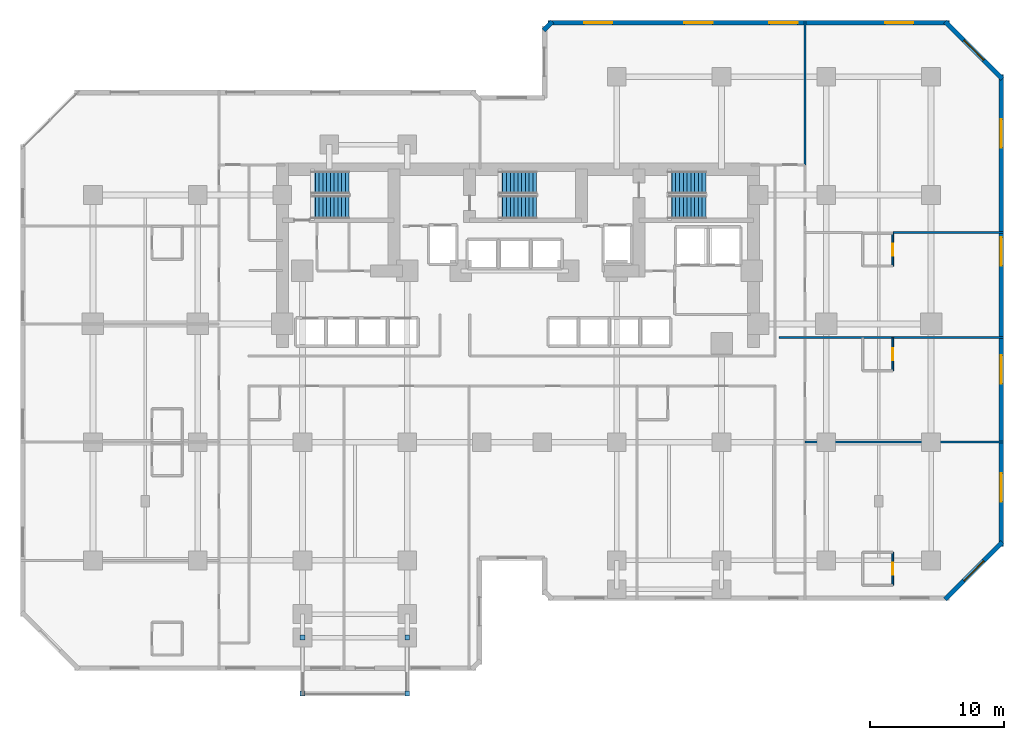
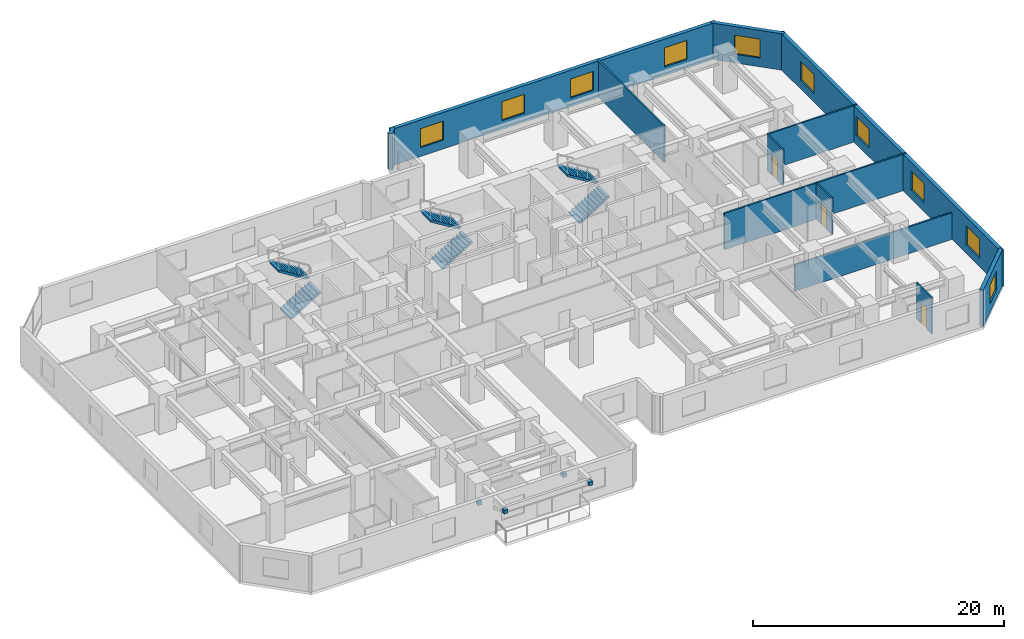
# One storey, part 9 of 11: 12 walls, 10 windows, 6 stair flights, 4 discrete accessories, 3 doors, 13 openings, 3 elements without a shape of their own.
"""IFC4 building model written with IfcOpenShell, lengths in metres."""

from ifc_helpers import new_model, si_unit, direction, frame, frame_2d, origin, origin_2d, place, context, subcontext, project, spatial, polyline, rectangle, outline, extrude, material, layer, layer_set, type_object, element, fill, aggregate, save


model = new_model("IFC4")

# Units and contexts
model_context = context("Model", 3, precision=1e-05, world=origin(), true_north=direction((0.0, 1.0)))
body_context = subcontext(model_context, "Body", "Model", "MODEL_VIEW")
ifc_project = project(units=[si_unit("LENGTHUNIT", "METRE"), si_unit("AREAUNIT", "SQUARE_METRE"), si_unit("VOLUMEUNIT", "CUBIC_METRE"), si_unit("PLANEANGLEUNIT", "RADIAN"), si_unit("MASSUNIT", "GRAM", prefix="KILO")], contexts=[model_context])

# Site, building, storey
site_placement = place(None, origin())
site = spatial("IfcSite", under=ifc_project, at=site_placement, CompositionType="ELEMENT")
building_placement = place(site_placement, origin())
building = spatial("IfcBuilding", under=site, at=building_placement, Name="Kestravale Grand Hotel", CompositionType="ELEMENT")
storey_placement = place(building_placement, frame((0.0, 0.0, 37.39990234375)))
storey = spatial("IfcBuildingStorey", under=building, at=storey_placement, Name="L08", CompositionType="ELEMENT", Elevation=37.39990234375)

# Wall, opening, window
ifc_material_1 = material(Name="Precast concrete f'c 45 MPa", Category="concrete")
ifc_layer_1 = layer(ifc_material_1, 0.340087890625)
ifc_layer_set_1 = layer_set([ifc_layer_1], Name="EW-PREC-340")
wall_type_1 = type_object("IfcWallType", Name="EW-PREC-340", PredefinedType="SOLIDWALL", material=ifc_layer_set_1)
wall_1_placement = place(storey_placement, frame((71.25146484375, 8.2919921875, 0.0), z_axis=(0.0, 0.0, 1.0), x_axis=(0.707106781187, 0.707106781187, 0.0)))
wall_1 = element("IfcWall", 1, at=wall_1_placement, inside=storey, type_object=wall_type_1, Name="L08 fluted precast facade wall 8", PredefinedType="SOLIDWALL", context=body_context, shape_type="SweptSolid", body=[
    extrude(rectangle(XDim=6.019775390625, YDim=0.340087890625, at=frame_2d((3.009765625, 0.0))), origin(), (0.0, 0.0, 1.0), 3.5400390625),
])
opening_1_placement = place(wall_1_placement, frame((1.9599609375, 0.0, 0.85009765625)))
opening_1 = element("IfcOpeningElement", 2, at=opening_1_placement, cuts=wall_1, Name="Opening W-GUEST-2100", PredefinedType="OPENING", context=body_context, shape_type="SweptSolid", body=[
    extrude(rectangle(XDim=2.10009765625, YDim=1.85009765625, at=frame_2d((1.050048828125, 0.925048828125))), frame((0.0, 0.179931640625, 0.0), z_axis=(0.0, -1.0, 0.0), x_axis=(1.0, 0.0, 0.0)), (0.0, 0.0, 1.0), 0.360107421875),
])
ifc_material_2 = material(Name="Insulated low-E double glazing in aluminium frame", Category="aluminium")
window_type = type_object("IfcWindowType", Name="W-GUEST-2100", PartitioningType="DOUBLE_PANEL_VERTICAL", PredefinedType="WINDOW", material=ifc_material_2)
window_1_placement = place(opening_1_placement, origin())
window_1 = element("IfcWindow", 3, at=window_1_placement, inside=storey, type_object=window_type, Name="L08 exterior window 8.1", OverallHeight=1.85009765625, OverallWidth=2.10009765625, PartitioningType="SINGLE_PANEL", PredefinedType="WINDOW", context=body_context, shape_type="SweptSolid", body=[
    extrude(rectangle(XDim=2.10009765625, YDim=1.85009765625, at=frame_2d((1.050048828125, 0.925048828125))), frame((0.0, 0.030029296875, 0.0), z_axis=(0.0, -1.0, 0.0), x_axis=(1.0, 0.0, 0.0)), (0.0, 0.0, 1.0), 0.06005859375),
])
fill(opening_1, window_1)

# Wall, openings, windows
wall_2_placement = place(storey_placement, frame((75.429931640625, 12.22998046875, 0.0), z_axis=(0.0, 0.0, 1.0), x_axis=(0.0, 1.0, 0.0)))
wall_2 = element("IfcWall", 4, at=wall_2_placement, inside=storey, type_object=wall_type_1, Name="L08 fluted precast facade wall 9", PredefinedType="SOLIDWALL", context=body_context, shape_type="SweptSolid", body=[
    extrude(rectangle(XDim=35.14013671875, YDim=0.340087890625, at=frame_2d((17.570068359375, 0.0))), origin(), (0.0, 0.0, 1.0), 3.5400390625),
])
opening_2_placement = place(wall_2_placement, frame((3.342529296875, 0.0, 0.85009765625)))
opening_2 = element("IfcOpeningElement", 5, at=opening_2_placement, cuts=wall_2, Name="Opening W-GUEST-2100", PredefinedType="OPENING", context=body_context, shape_type="SweptSolid", body=[
    extrude(rectangle(XDim=2.10009765625, YDim=1.85009765625, at=frame_2d((1.050048828125, 0.925048828125))), frame((0.0, 0.179931640625, 0.0), z_axis=(0.0, -1.0, 0.0), x_axis=(1.0, 0.0, 0.0)), (0.0, 0.0, 1.0), 0.360107421875),
])
opening_3_placement = place(wall_2_placement, frame((12.12744140625, 0.0, 0.85009765625)))
opening_3 = element("IfcOpeningElement", 6, at=opening_3_placement, cuts=wall_2, Name="Opening W-GUEST-2100", PredefinedType="OPENING", context=body_context, shape_type="SweptSolid", body=[
    extrude(rectangle(XDim=2.10009765625, YDim=1.85009765625, at=frame_2d((1.050048828125, 0.925048828125))), frame((0.0, 0.179931640625, 0.0), z_axis=(0.0, -1.0, 0.0), x_axis=(1.0, 0.0, 0.0)), (0.0, 0.0, 1.0), 0.360107421875),
])
opening_4_placement = place(wall_2_placement, frame((20.91259765625, 0.0, 0.85009765625)))
opening_4 = element("IfcOpeningElement", 7, at=opening_4_placement, cuts=wall_2, Name="Opening W-GUEST-2100", PredefinedType="OPENING", context=body_context, shape_type="SweptSolid", body=[
    extrude(rectangle(XDim=2.10009765625, YDim=1.85009765625, at=frame_2d((1.050048828125, 0.925048828125))), frame((0.0, 0.179931640625, 0.0), z_axis=(0.0, -1.0, 0.0), x_axis=(1.0, 0.0, 0.0)), (0.0, 0.0, 1.0), 0.360107421875),
])
opening_5_placement = place(wall_2_placement, frame((29.697509765625, 0.0, 0.85009765625)))
opening_5 = element("IfcOpeningElement", 8, at=opening_5_placement, cuts=wall_2, Name="Opening W-GUEST-2100", PredefinedType="OPENING", context=body_context, shape_type="SweptSolid", body=[
    extrude(rectangle(XDim=2.10009765625, YDim=1.85009765625, at=frame_2d((1.050048828125, 0.925048828125))), frame((0.0, 0.179931640625, 0.0), z_axis=(0.0, -1.0, 0.0), x_axis=(1.0, 0.0, 0.0)), (0.0, 0.0, 1.0), 0.360107421875),
])
window_2_placement = place(opening_2_placement, origin())
window_2 = element("IfcWindow", 9, at=window_2_placement, inside=storey, type_object=window_type, Name="L08 exterior window 9.1", OverallHeight=1.85009765625, OverallWidth=2.10009765625, PartitioningType="SINGLE_PANEL", PredefinedType="WINDOW", context=body_context, shape_type="SweptSolid", body=[
    extrude(rectangle(XDim=2.10009765625, YDim=1.85009765625, at=frame_2d((1.050048828125, 0.925048828125))), frame((0.0, 0.030029296875, 0.0), z_axis=(0.0, -1.0, 0.0), x_axis=(1.0, 0.0, 0.0)), (0.0, 0.0, 1.0), 0.06005859375),
])
fill(opening_2, window_2)
window_3_placement = place(opening_3_placement, origin())
window_3 = element("IfcWindow", 10, at=window_3_placement, inside=storey, type_object=window_type, Name="L08 exterior window 9.2", OverallHeight=1.85009765625, OverallWidth=2.10009765625, PartitioningType="SINGLE_PANEL", PredefinedType="WINDOW", context=body_context, shape_type="SweptSolid", body=[
    extrude(rectangle(XDim=2.10009765625, YDim=1.85009765625, at=frame_2d((1.050048828125, 0.925048828125))), frame((0.0, 0.030029296875, 0.0), z_axis=(0.0, -1.0, 0.0), x_axis=(1.0, 0.0, 0.0)), (0.0, 0.0, 1.0), 0.06005859375),
])
fill(opening_3, window_3)
window_4_placement = place(opening_4_placement, origin())
window_4 = element("IfcWindow", 11, at=window_4_placement, inside=storey, type_object=window_type, Name="L08 exterior window 9.3", OverallHeight=1.85009765625, OverallWidth=2.10009765625, PartitioningType="SINGLE_PANEL", PredefinedType="WINDOW", context=body_context, shape_type="SweptSolid", body=[
    extrude(rectangle(XDim=2.10009765625, YDim=1.85009765625, at=frame_2d((1.050048828125, 0.925048828125))), frame((0.0, 0.030029296875, 0.0), z_axis=(0.0, -1.0, 0.0), x_axis=(1.0, 0.0, 0.0)), (0.0, 0.0, 1.0), 0.06005859375),
])
fill(opening_4, window_4)
window_5_placement = place(opening_5_placement, origin())
window_5 = element("IfcWindow", 12, at=window_5_placement, inside=storey, type_object=window_type, Name="L08 exterior window 9.4", OverallHeight=1.85009765625, OverallWidth=2.10009765625, PartitioningType="SINGLE_PANEL", PredefinedType="WINDOW", context=body_context, shape_type="SweptSolid", body=[
    extrude(rectangle(XDim=2.10009765625, YDim=1.85009765625, at=frame_2d((1.050048828125, 0.925048828125))), frame((0.0, 0.030029296875, 0.0), z_axis=(0.0, -1.0, 0.0), x_axis=(1.0, 0.0, 0.0)), (0.0, 0.0, 1.0), 0.06005859375),
])
fill(opening_5, window_5)

# Wall, opening, window
wall_3_placement = place(storey_placement, frame((75.508056640625, 47.051513671875, 0.0), z_axis=(0.0, 0.0, 1.0), x_axis=(-0.707106781187, 0.707106781187, 0.0)))
wall_3 = element("IfcWall", 13, at=wall_3_placement, inside=storey, type_object=wall_type_1, Name="L08 fluted precast facade wall 10", PredefinedType="SOLIDWALL", context=body_context, shape_type="SweptSolid", body=[
    extrude(rectangle(XDim=6.019775390625, YDim=0.340087890625, at=frame_2d((3.009765625, 0.0))), origin(), (0.0, 0.0, 1.0), 3.5400390625),
])
opening_6_placement = place(wall_3_placement, frame((1.9599609375, 0.0, 0.85009765625)))
opening_6 = element("IfcOpeningElement", 14, at=opening_6_placement, cuts=wall_3, Name="Opening W-GUEST-2100", PredefinedType="OPENING", context=body_context, shape_type="SweptSolid", body=[
    extrude(rectangle(XDim=2.10009765625, YDim=1.85009765625, at=frame_2d((1.050048828125, 0.925048828125))), frame((0.0, 0.179931640625, 0.0), z_axis=(0.0, -1.0, 0.0), x_axis=(1.0, 0.0, 0.0)), (0.0, 0.0, 1.0), 0.360107421875),
])
window_6_placement = place(opening_6_placement, origin())
window_6 = element("IfcWindow", 15, at=window_6_placement, inside=storey, type_object=window_type, Name="L08 exterior window 10.1", OverallHeight=1.85009765625, OverallWidth=2.10009765625, PartitioningType="SINGLE_PANEL", PredefinedType="WINDOW", context=body_context, shape_type="SweptSolid", body=[
    extrude(rectangle(XDim=2.10009765625, YDim=1.85009765625, at=frame_2d((1.050048828125, 0.925048828125))), frame((0.0, 0.030029296875, 0.0), z_axis=(0.0, -1.0, 0.0), x_axis=(1.0, 0.0, 0.0)), (0.0, 0.0, 1.0), 0.06005859375),
])
fill(opening_6, window_6)

# Wall, openings, windows
wall_4_placement = place(storey_placement, frame((71.570068359375, 51.22998046875, 0.0), z_axis=(0.0, 0.0, 1.0), x_axis=(-1.0, 0.0, 0.0)))
wall_4 = element("IfcWall", 16, at=wall_4_placement, inside=storey, type_object=wall_type_1, Name="L08 fluted precast facade wall 11", PredefinedType="SOLIDWALL", context=body_context, shape_type="SweptSolid", body=[
    extrude(rectangle(XDim=29.89013671875, YDim=0.340087890625, at=frame_2d((14.945068359375, 0.0))), origin(), (0.0, 0.0, 1.0), 3.5400390625),
])
opening_7_placement = place(wall_4_placement, frame((2.686279296875, 0.0, 0.85009765625)))
opening_7 = element("IfcOpeningElement", 17, at=opening_7_placement, cuts=wall_4, Name="Opening W-GUEST-2100", PredefinedType="OPENING", context=body_context, shape_type="SweptSolid", body=[
    extrude(rectangle(XDim=2.10009765625, YDim=1.85009765625, at=frame_2d((1.050048828125, 0.925048828125))), frame((0.0, 0.179931640625, 0.0), z_axis=(0.0, -1.0, 0.0), x_axis=(1.0, 0.0, 0.0)), (0.0, 0.0, 1.0), 0.360107421875),
])
opening_8_placement = place(wall_4_placement, frame((11.30859375, 0.0, 0.85009765625)))
opening_8 = element("IfcOpeningElement", 18, at=opening_8_placement, cuts=wall_4, Name="Opening W-GUEST-2100", PredefinedType="OPENING", context=body_context, shape_type="SweptSolid", body=[
    extrude(rectangle(XDim=2.10009765625, YDim=1.85009765625, at=frame_2d((1.050048828125, 0.925048828125))), frame((0.0, 0.179931640625, 0.0), z_axis=(0.0, -1.0, 0.0), x_axis=(1.0, 0.0, 0.0)), (0.0, 0.0, 1.0), 0.360107421875),
])
opening_9_placement = place(wall_4_placement, frame((17.631103515625, 0.0, 0.85009765625)))
opening_9 = element("IfcOpeningElement", 19, at=opening_9_placement, cuts=wall_4, Name="Opening W-GUEST-2100", PredefinedType="OPENING", context=body_context, shape_type="SweptSolid", body=[
    extrude(rectangle(XDim=2.10009765625, YDim=1.85009765625, at=frame_2d((1.050048828125, 0.925048828125))), frame((0.0, 0.179931640625, 0.0), z_axis=(0.0, -1.0, 0.0), x_axis=(1.0, 0.0, 0.0)), (0.0, 0.0, 1.0), 0.360107421875),
])
opening_10_placement = place(wall_4_placement, frame((25.103759765625, 0.0, 0.85009765625)))
opening_10 = element("IfcOpeningElement", 20, at=opening_10_placement, cuts=wall_4, Name="Opening W-GUEST-2100", PredefinedType="OPENING", context=body_context, shape_type="SweptSolid", body=[
    extrude(rectangle(XDim=2.10009765625, YDim=1.85009765625, at=frame_2d((1.050048828125, 0.925048828125))), frame((0.0, 0.179931640625, 0.0), z_axis=(0.0, -1.0, 0.0), x_axis=(1.0, 0.0, 0.0)), (0.0, 0.0, 1.0), 0.360107421875),
])
window_7_placement = place(opening_7_placement, origin())
window_7 = element("IfcWindow", 21, at=window_7_placement, inside=storey, type_object=window_type, Name="L08 exterior window 11.1", OverallHeight=1.85009765625, OverallWidth=2.10009765625, PartitioningType="SINGLE_PANEL", PredefinedType="WINDOW", context=body_context, shape_type="SweptSolid", body=[
    extrude(rectangle(XDim=2.10009765625, YDim=1.85009765625, at=frame_2d((1.050048828125, 0.925048828125))), frame((0.0, 0.030029296875, 0.0), z_axis=(0.0, -1.0, 0.0), x_axis=(1.0, 0.0, 0.0)), (0.0, 0.0, 1.0), 0.06005859375),
])
fill(opening_7, window_7)
window_8_placement = place(opening_8_placement, origin())
window_8 = element("IfcWindow", 22, at=window_8_placement, inside=storey, type_object=window_type, Name="L08 exterior window 11.2", OverallHeight=1.85009765625, OverallWidth=2.10009765625, PartitioningType="SINGLE_PANEL", PredefinedType="WINDOW", context=body_context, shape_type="SweptSolid", body=[
    extrude(rectangle(XDim=2.10009765625, YDim=1.85009765625, at=frame_2d((1.050048828125, 0.925048828125))), frame((0.0, 0.030029296875, 0.0), z_axis=(0.0, -1.0, 0.0), x_axis=(1.0, 0.0, 0.0)), (0.0, 0.0, 1.0), 0.06005859375),
])
fill(opening_8, window_8)
window_9_placement = place(opening_9_placement, origin())
window_9 = element("IfcWindow", 23, at=window_9_placement, inside=storey, type_object=window_type, Name="L08 exterior window 11.3", OverallHeight=1.85009765625, OverallWidth=2.10009765625, PartitioningType="SINGLE_PANEL", PredefinedType="WINDOW", context=body_context, shape_type="SweptSolid", body=[
    extrude(rectangle(XDim=2.10009765625, YDim=1.85009765625, at=frame_2d((1.050048828125, 0.925048828125))), frame((0.0, 0.030029296875, 0.0), z_axis=(0.0, -1.0, 0.0), x_axis=(1.0, 0.0, 0.0)), (0.0, 0.0, 1.0), 0.06005859375),
])
fill(opening_9, window_9)
window_10_placement = place(opening_10_placement, origin())
window_10 = element("IfcWindow", 24, at=window_10_placement, inside=storey, type_object=window_type, Name="L08 exterior window 11.4", OverallHeight=1.85009765625, OverallWidth=2.10009765625, PartitioningType="SINGLE_PANEL", PredefinedType="WINDOW", context=body_context, shape_type="SweptSolid", body=[
    extrude(rectangle(XDim=2.10009765625, YDim=1.85009765625, at=frame_2d((1.050048828125, 0.925048828125))), frame((0.0, 0.030029296875, 0.0), z_axis=(0.0, -1.0, 0.0), x_axis=(1.0, 0.0, 0.0)), (0.0, 0.0, 1.0), 0.06005859375),
])
fill(opening_10, window_10)

# Wall
wall_5_placement = place(storey_placement, frame((41.99853515625, 51.30810546875, 0.0), z_axis=(0.0, 0.0, 1.0), x_axis=(-0.707238225886, -0.706975312048, 0.0)))
element("IfcWall", 25, at=wall_5_placement, inside=storey, type_object=wall_type_1, Name="L08 fluted precast facade wall 12", PredefinedType="SOLIDWALL", context=body_context, shape_type="SweptSolid", body=[
    extrude(rectangle(XDim=0.9287109375, YDim=0.340087890625, at=frame_2d((0.46435546875, 0.0))), origin(), (0.0, 0.0, 1.0), 3.5400390625),
])

# Wall, opening, door
ifc_material_3 = material(Name="Moisture-resistant tile-backer plumbing chase wall", Category="other")
ifc_layer_2 = layer(ifc_material_3, 0.139892578125)
ifc_layer_set_2 = layer_set([ifc_layer_2], Name="IW-PLB-140")
wall_type_2 = type_object("IfcWallType", Name="IW-PLB-140", PredefinedType="PLUMBINGWALL", material=ifc_layer_set_2)
wall_6_placement = place(storey_placement, frame((67.35009765625, 9.35009765625, 0.0), z_axis=(0.0, 0.0, 1.0), x_axis=(0.0, 1.0, 0.0)))
wall_6 = element("IfcWall", 26, at=wall_6_placement, inside=storey, type_object=wall_type_2, Name="W-L08-U07-BE", PredefinedType="PLUMBINGWALL", context=body_context, shape_type="SweptSolid", body=[
    extrude(rectangle(XDim=2.449951171875, YDim=0.139892578125, at=frame_2d((1.22509765625, 0.0))), origin(), (0.0, 0.0, 1.0), 3.5400390625),
])
opening_11_placement = place(wall_6_placement, frame((0.784912109375, 0.0, 0.0)))
opening_11 = element("IfcOpeningElement", 27, at=opening_11_placement, cuts=wall_6, Name="Opening D-BATH-880", PredefinedType="OPENING", context=body_context, shape_type="SweptSolid", body=[
    extrude(rectangle(XDim=0.8798828125, YDim=2.050048828125, at=frame_2d((0.43994140625, 1.02490234375))), frame((0.0, 0.079833984375, 0.0), z_axis=(0.0, -1.0, 0.0), x_axis=(1.0, 0.0, 0.0)), (0.0, 0.0, 1.0), 0.159912109375),
])
ifc_material_4 = material(Name="Moisture-sealed walnut en-suite bathroom door", Category="wood")
door_type = type_object("IfcDoorType", Name="D-BATH-880", OperationType="NOTDEFINED", PredefinedType="DOOR", material=ifc_material_4)
door_1_placement = place(opening_11_placement, origin())
door_1 = element("IfcDoor", 28, at=door_1_placement, inside=storey, type_object=door_type, Name="D-L08-U07-BATH", OperationType="SINGLE_SWING_RIGHT", OverallHeight=2.050048828125, OverallWidth=0.8798828125, PredefinedType="DOOR", context=body_context, shape_type="SweptSolid", body=[
    extrude(rectangle(XDim=0.8798828125, YDim=2.050048828125, at=frame_2d((0.43994140625, 1.02490234375))), frame((0.0, 0.02490234375, 0.0), z_axis=(0.0, -1.0, 0.0), x_axis=(1.0, 0.0, 0.0)), (0.0, 0.0, 1.0), 0.050048828125),
])
fill(opening_11, door_1)

wall_7_placement = place(storey_placement, frame((67.35009765625, 25.31005859375, 0.0), z_axis=(0.0, 0.0, 1.0), x_axis=(0.0, 1.0, 0.0)))
wall_7 = element("IfcWall", 29, at=wall_7_placement, inside=storey, type_object=wall_type_2, Name="W-L08-U08-BE", PredefinedType="PLUMBINGWALL", context=body_context, shape_type="SweptSolid", body=[
    extrude(rectangle(XDim=2.449951171875, YDim=0.139892578125, at=frame_2d((1.22509765625, 0.0))), origin(), (0.0, 0.0, 1.0), 3.5400390625),
])
opening_12_placement = place(wall_7_placement, frame((0.784912109375, 0.0, 0.0)))
opening_12 = element("IfcOpeningElement", 30, at=opening_12_placement, cuts=wall_7, Name="Opening D-BATH-880", PredefinedType="OPENING", context=body_context, shape_type="SweptSolid", body=[
    extrude(rectangle(XDim=0.8798828125, YDim=2.050048828125, at=frame_2d((0.43994140625, 1.02490234375))), frame((0.0, 0.079833984375, 0.0), z_axis=(0.0, -1.0, 0.0), x_axis=(1.0, 0.0, 0.0)), (0.0, 0.0, 1.0), 0.159912109375),
])
door_2_placement = place(opening_12_placement, origin())
door_2 = element("IfcDoor", 31, at=door_2_placement, inside=storey, type_object=door_type, Name="D-L08-U08-BATH", OperationType="SINGLE_SWING_RIGHT", OverallHeight=2.050048828125, OverallWidth=0.8798828125, PredefinedType="DOOR", context=body_context, shape_type="SweptSolid", body=[
    extrude(rectangle(XDim=0.8798828125, YDim=2.050048828125, at=frame_2d((0.43994140625, 1.02490234375))), frame((0.0, 0.02490234375, 0.0), z_axis=(0.0, -1.0, 0.0), x_axis=(1.0, 0.0, 0.0)), (0.0, 0.0, 1.0), 0.050048828125),
])
fill(opening_12, door_2)

wall_8_placement = place(storey_placement, frame((67.35009765625, 33.110107421875, 0.0), z_axis=(0.0, 0.0, 1.0), x_axis=(0.0, 1.0, 0.0)))
wall_8 = element("IfcWall", 32, at=wall_8_placement, inside=storey, type_object=wall_type_2, Name="W-L08-U09-BE", PredefinedType="PLUMBINGWALL", context=body_context, shape_type="SweptSolid", body=[
    extrude(rectangle(XDim=2.449951171875, YDim=0.139892578125, at=frame_2d((1.22509765625, 0.0))), origin(), (0.0, 0.0, 1.0), 3.5400390625),
])
opening_13_placement = place(wall_8_placement, frame((0.784912109375, 0.0, 0.0)))
opening_13 = element("IfcOpeningElement", 33, at=opening_13_placement, cuts=wall_8, Name="Opening D-BATH-880", PredefinedType="OPENING", context=body_context, shape_type="SweptSolid", body=[
    extrude(rectangle(XDim=0.8798828125, YDim=2.050048828125, at=frame_2d((0.43994140625, 1.02490234375))), frame((0.0, 0.079833984375, 0.0), z_axis=(0.0, -1.0, 0.0), x_axis=(1.0, 0.0, 0.0)), (0.0, 0.0, 1.0), 0.159912109375),
])
door_3_placement = place(opening_13_placement, origin())
door_3 = element("IfcDoor", 34, at=door_3_placement, inside=storey, type_object=door_type, Name="D-L08-U09-BATH", OperationType="SINGLE_SWING_RIGHT", OverallHeight=2.050048828125, OverallWidth=0.8798828125, PredefinedType="DOOR", context=body_context, shape_type="SweptSolid", body=[
    extrude(rectangle(XDim=0.8798828125, YDim=2.050048828125, at=frame_2d((0.43994140625, 1.02490234375))), frame((0.0, 0.02490234375, 0.0), z_axis=(0.0, -1.0, 0.0), x_axis=(1.0, 0.0, 0.0)), (0.0, 0.0, 1.0), 0.050048828125),
])
fill(opening_13, door_3)

# Walls
ifc_material_5 = material(Name="Double-stud STC 52 acoustic demising partition", Category="other")
ifc_layer_3 = layer(ifc_material_5, 0.14990234375)
ifc_layer_set_3 = layer_set([ifc_layer_3], Name="IW-UNIT-150")
wall_type_3 = type_object("IfcWallType", Name="IW-UNIT-150", PredefinedType="PARTITIONING", material=ifc_layer_set_3)
wall_9_placement = place(storey_placement, frame((60.81005859375, 40.64990234375, 0.0), z_axis=(0.0, 0.0, 1.0), x_axis=(0.0, 1.0, 0.0)))
element("IfcWall", 35, at=wall_9_placement, inside=storey, type_object=wall_type_3, Name="W-L08-NGE-E", PredefinedType="PARTITIONING", context=body_context, shape_type="SweptSolid", body=[
    extrude(rectangle(XDim=10.72998046875, YDim=0.14990234375, at=frame_2d((5.364990234375, 0.0))), origin(), (0.0, 0.0, 1.0), 3.5400390625),
])
wall_10_placement = place(storey_placement, frame((60.81005859375, 20.0, 0.0), z_axis=(0.0, 0.0, 1.0), x_axis=(1.0, 0.0, 0.0)))
element("IfcWall", 36, at=wall_10_placement, inside=storey, type_object=wall_type_3, Name="W-L08-EW-1", PredefinedType="PARTITIONING", context=body_context, shape_type="SweptSolid", body=[
    extrude(rectangle(XDim=14.77001953125, YDim=0.14990234375, at=frame_2d((7.385009765625, 0.0))), origin(), (0.0, 0.0, 1.0), 2.593017578125),
])
wall_11_placement = place(storey_placement, frame((58.860107421875, 27.800048828125, 0.0), z_axis=(0.0, 0.0, 1.0), x_axis=(1.0, 0.0, 0.0)))
element("IfcWall", 37, at=wall_11_placement, inside=storey, type_object=wall_type_3, Name="W-L08-ASPL-8", PredefinedType="PARTITIONING", context=body_context, shape_type="SweptSolid", body=[
    extrude(rectangle(XDim=16.719970703125, YDim=0.14990234375, at=frame_2d((8.35986328125, 0.0))), origin(), (0.0, 0.0, 1.0), 3.5400390625),
])
wall_12_placement = place(storey_placement, frame((67.35009765625, 35.60009765625, 0.0), z_axis=(0.0, 0.0, 1.0), x_axis=(1.0, 0.0, 0.0)))
element("IfcWall", 38, at=wall_12_placement, inside=storey, type_object=wall_type_3, Name="W-L08-EW-2", PredefinedType="PARTITIONING", context=body_context, shape_type="SweptSolid", body=[
    extrude(rectangle(XDim=8.22998046875, YDim=0.14990234375, at=frame_2d((4.114990234375, 0.0))), origin(), (0.0, 0.0, 1.0), 3.5400390625),
])

# Stair, stair flights
ifc_material_6 = material(Name="Concrete f'c 45 MPa", Category="concrete")
stair_type = type_object("IfcStairType", Name="ST-CORE-380", PredefinedType="HALF_TURN_STAIR", material=ifc_material_6)
stair_1_placement = place(storey_placement, origin())
stair_1 = element("IfcStair", 39, at=stair_1_placement, inside=storey, type_object=stair_type, Name="L08 ST-1", PredefinedType="HALF_TURN_STAIR")
ifc_material_7 = material(Name="Concrete f'c 45 MPa", Category="concrete")
stair_flight_type = type_object("IfcStairFlightType", Name="STF-CORE-380", PredefinedType="STRAIGHT", material=ifc_material_7)
stair_flight_1_placement = place(storey_placement, frame((24.080078125, 37.489990234375, 0.0), z_axis=(0.0, 0.0, 1.0), x_axis=(1.0, 0.0, 0.0)))
stair_flight_1 = element("IfcStairFlight", 40, at=stair_flight_1_placement, type_object=stair_flight_type, Name="ST-1 flight 1", NumberOfRisers=11, NumberOfTreads=10, PredefinedType="STRAIGHT", RiserHeight=0.172727273, TreadLength=0.28, context=body_context, shape_type="SweptSolid", body=[
    extrude(outline(polyline([(0.0, 0.0), (0.0, 0.172607421875), (0.280029296875, 0.172607421875), (0.280029296875, 0.345458984375), (0.56005859375, 0.345458984375), (0.56005859375, 0.51806640625), (0.840087890625, 0.51806640625), (0.840087890625, 0.69091796875), (1.1201171875, 0.69091796875), (1.1201171875, 0.863525390625), (1.39990234375, 0.863525390625), (1.39990234375, 1.036376953125), (1.679931640625, 1.036376953125), (1.679931640625, 1.208984375), (1.9599609375, 1.208984375), (1.9599609375, 1.3818359375), (2.239990234375, 1.3818359375), (2.239990234375, 1.554443359375), (2.52001953125, 1.554443359375), (2.52001953125, 1.727294921875), (2.800048828125, 1.727294921875), (2.800048828125, 1.89990234375), (2.800048828125, 1.551025390625), (0.285400390625, 0.0), (0.0, 0.0)])), frame((0.0, 0.83984375, 0.0), z_axis=(0.0, -1.0, 0.0), x_axis=(1.0, 0.0, 0.0)), (0.0, 0.0, 1.0), 1.679931640625),
])
stair_flight_2_placement = place(storey_placement, frame((26.8798828125, 39.320068359375, 1.900146484375), z_axis=(0.0, 0.0, 1.0), x_axis=(-1.0, 0.0, 0.0)))
stair_flight_2 = element("IfcStairFlight", 41, at=stair_flight_2_placement, type_object=stair_flight_type, Name="ST-1 flight 2", NumberOfRisers=11, NumberOfTreads=10, PredefinedType="STRAIGHT", RiserHeight=0.172727273, TreadLength=0.28, context=body_context, shape_type="SweptSolid", body=[
    extrude(outline(polyline([(0.0, 0.0), (0.0, 0.172607421875), (0.280029296875, 0.172607421875), (0.280029296875, 0.345458984375), (0.56005859375, 0.345458984375), (0.56005859375, 0.51806640625), (0.840087890625, 0.51806640625), (0.840087890625, 0.69091796875), (1.1201171875, 0.69091796875), (1.1201171875, 0.863525390625), (1.39990234375, 0.863525390625), (1.39990234375, 1.036376953125), (1.679931640625, 1.036376953125), (1.679931640625, 1.208984375), (1.9599609375, 1.208984375), (1.9599609375, 1.3818359375), (2.239990234375, 1.3818359375), (2.239990234375, 1.554443359375), (2.52001953125, 1.554443359375), (2.52001953125, 1.727294921875), (2.800048828125, 1.727294921875), (2.800048828125, 1.89990234375), (2.800048828125, 1.551025390625), (0.285400390625, 0.0), (0.0, 0.0)])), frame((0.0, 0.83984375, 0.0), z_axis=(0.0, -1.0, 0.0), x_axis=(1.0, 0.0, 0.0)), (0.0, 0.0, 1.0), 1.679931640625),
])
aggregate(stair_1, [stair_flight_1, stair_flight_2])

stair_2_placement = place(storey_placement, origin())
stair_2 = element("IfcStair", 42, at=stair_2_placement, inside=storey, type_object=stair_type, Name="L08 ST-2", PredefinedType="HALF_TURN_STAIR")
stair_flight_3_placement = place(storey_placement, frame((38.030029296875, 37.489990234375, 0.0), z_axis=(0.0, 0.0, 1.0), x_axis=(1.0, 0.0, 0.0)))
stair_flight_3 = element("IfcStairFlight", 43, at=stair_flight_3_placement, type_object=stair_flight_type, Name="ST-2 flight 1", NumberOfRisers=11, NumberOfTreads=10, PredefinedType="STRAIGHT", RiserHeight=0.172727273, TreadLength=0.28, context=body_context, shape_type="SweptSolid", body=[
    extrude(outline(polyline([(0.0, 0.0), (0.0, 0.172607421875), (0.280029296875, 0.172607421875), (0.280029296875, 0.345458984375), (0.56005859375, 0.345458984375), (0.56005859375, 0.51806640625), (0.840087890625, 0.51806640625), (0.840087890625, 0.69091796875), (1.1201171875, 0.69091796875), (1.1201171875, 0.863525390625), (1.39990234375, 0.863525390625), (1.39990234375, 1.036376953125), (1.679931640625, 1.036376953125), (1.679931640625, 1.208984375), (1.9599609375, 1.208984375), (1.9599609375, 1.3818359375), (2.239990234375, 1.3818359375), (2.239990234375, 1.554443359375), (2.52001953125, 1.554443359375), (2.52001953125, 1.727294921875), (2.800048828125, 1.727294921875), (2.800048828125, 1.89990234375), (2.800048828125, 1.551025390625), (0.285400390625, 0.0), (0.0, 0.0)])), frame((0.0, 0.83984375, 0.0), z_axis=(0.0, -1.0, 0.0), x_axis=(1.0, 0.0, 0.0)), (0.0, 0.0, 1.0), 1.679931640625),
])
stair_flight_4_placement = place(storey_placement, frame((40.830078125, 39.320068359375, 1.900146484375), z_axis=(0.0, 0.0, 1.0), x_axis=(-1.0, 0.0, 0.0)))
stair_flight_4 = element("IfcStairFlight", 44, at=stair_flight_4_placement, type_object=stair_flight_type, Name="ST-2 flight 2", NumberOfRisers=11, NumberOfTreads=10, PredefinedType="STRAIGHT", RiserHeight=0.172727273, TreadLength=0.28, context=body_context, shape_type="SweptSolid", body=[
    extrude(outline(polyline([(0.0, 0.0), (0.0, 0.172607421875), (0.280029296875, 0.172607421875), (0.280029296875, 0.345458984375), (0.56005859375, 0.345458984375), (0.56005859375, 0.51806640625), (0.840087890625, 0.51806640625), (0.840087890625, 0.69091796875), (1.1201171875, 0.69091796875), (1.1201171875, 0.863525390625), (1.39990234375, 0.863525390625), (1.39990234375, 1.036376953125), (1.679931640625, 1.036376953125), (1.679931640625, 1.208984375), (1.9599609375, 1.208984375), (1.9599609375, 1.3818359375), (2.239990234375, 1.3818359375), (2.239990234375, 1.554443359375), (2.52001953125, 1.554443359375), (2.52001953125, 1.727294921875), (2.800048828125, 1.727294921875), (2.800048828125, 1.89990234375), (2.800048828125, 1.551025390625), (0.285400390625, 0.0), (0.0, 0.0)])), frame((0.0, 0.83984375, 0.0), z_axis=(0.0, -1.0, 0.0), x_axis=(1.0, 0.0, 0.0)), (0.0, 0.0, 1.0), 1.679931640625),
])
aggregate(stair_2, [stair_flight_3, stair_flight_4])

stair_3_placement = place(storey_placement, origin())
stair_3 = element("IfcStair", 45, at=stair_3_placement, inside=storey, type_object=stair_type, Name="L08 ST-3", PredefinedType="HALF_TURN_STAIR")
stair_flight_5_placement = place(storey_placement, frame((50.6298828125, 37.489990234375, 0.0), z_axis=(0.0, 0.0, 1.0), x_axis=(1.0, 0.0, 0.0)))
stair_flight_5 = element("IfcStairFlight", 46, at=stair_flight_5_placement, type_object=stair_flight_type, Name="ST-3 flight 1", NumberOfRisers=11, NumberOfTreads=10, PredefinedType="STRAIGHT", RiserHeight=0.172727273, TreadLength=0.28, context=body_context, shape_type="SweptSolid", body=[
    extrude(outline(polyline([(0.0, 0.0), (0.0, 0.172607421875), (0.280029296875, 0.172607421875), (0.280029296875, 0.345458984375), (0.56005859375, 0.345458984375), (0.56005859375, 0.51806640625), (0.840087890625, 0.51806640625), (0.840087890625, 0.69091796875), (1.1201171875, 0.69091796875), (1.1201171875, 0.863525390625), (1.39990234375, 0.863525390625), (1.39990234375, 1.036376953125), (1.679931640625, 1.036376953125), (1.679931640625, 1.208984375), (1.9599609375, 1.208984375), (1.9599609375, 1.3818359375), (2.239990234375, 1.3818359375), (2.239990234375, 1.554443359375), (2.52001953125, 1.554443359375), (2.52001953125, 1.727294921875), (2.800048828125, 1.727294921875), (2.800048828125, 1.89990234375), (2.800048828125, 1.551025390625), (0.285400390625, 0.0), (0.0, 0.0)])), frame((0.0, 0.83984375, 0.0), z_axis=(0.0, -1.0, 0.0), x_axis=(1.0, 0.0, 0.0)), (0.0, 0.0, 1.0), 1.679931640625),
])
stair_flight_6_placement = place(storey_placement, frame((53.429931640625, 39.320068359375, 1.900146484375), z_axis=(0.0, 0.0, 1.0), x_axis=(-1.0, 0.0, 0.0)))
stair_flight_6 = element("IfcStairFlight", 47, at=stair_flight_6_placement, type_object=stair_flight_type, Name="ST-3 flight 2", NumberOfRisers=11, NumberOfTreads=10, PredefinedType="STRAIGHT", RiserHeight=0.172727273, TreadLength=0.28, context=body_context, shape_type="SweptSolid", body=[
    extrude(outline(polyline([(0.0, 0.0), (0.0, 0.172607421875), (0.280029296875, 0.172607421875), (0.280029296875, 0.345458984375), (0.56005859375, 0.345458984375), (0.56005859375, 0.51806640625), (0.840087890625, 0.51806640625), (0.840087890625, 0.69091796875), (1.1201171875, 0.69091796875), (1.1201171875, 0.863525390625), (1.39990234375, 0.863525390625), (1.39990234375, 1.036376953125), (1.679931640625, 1.036376953125), (1.679931640625, 1.208984375), (1.9599609375, 1.208984375), (1.9599609375, 1.3818359375), (2.239990234375, 1.3818359375), (2.239990234375, 1.554443359375), (2.52001953125, 1.554443359375), (2.52001953125, 1.727294921875), (2.800048828125, 1.727294921875), (2.800048828125, 1.89990234375), (2.800048828125, 1.551025390625), (0.285400390625, 0.0), (0.0, 0.0)])), frame((0.0, 0.83984375, 0.0), z_axis=(0.0, -1.0, 0.0), x_axis=(1.0, 0.0, 0.0)), (0.0, 0.0, 1.0), 1.679931640625),
])
aggregate(stair_3, [stair_flight_5, stair_flight_6])

# Discrete accessories
ifc_material_8 = material(Name="Steel ASTM A572 Grade 50 hot-dip galvanised bracket", Category="steel")
discrete_accessory_type = type_object("IfcDiscreteAccessoryType", Name="ACC-BRK-STL", PredefinedType="BRACKET", material=ifc_material_8)
for number, where, z_axis, x_axis, name in (
    (48, (23.39990234375, 5.449951171875, 1.19384765625), (0.0, 0.0, 1.0), (1.0, 0.0, 0.0), "L09 terrace strut column bracket 1"),
    (49, (23.39990234375, 1.300048828125, 2.89404296875), (0.0, 0.0, 1.0), (1.0, 0.0, 0.0), "L09 terrace strut beam bracket 1"),
    (50, (31.199951171875, 5.449951171875, 1.19384765625), (0.0, 0.0, 1.0), (1.0, 0.0, 0.0), "L09 terrace strut column bracket 2"),
    (51, (31.199951171875, 1.300048828125, 2.89404296875), (0.0, 0.0, 1.0), (1.0, 0.0, 0.0), "L09 terrace strut beam bracket 2"),
):
    element("IfcDiscreteAccessory", number, at=place(storey_placement, frame(where, z_axis=z_axis, x_axis=x_axis)), inside=storey, type_object=discrete_accessory_type, Name=name, PredefinedType="BRACKET", context=body_context, shape_type="SweptSolid", body=[
        extrude(rectangle(XDim=0.360107421875, YDim=0.360107421875, at=origin_2d()), origin(), (0.0, 0.0, 1.0), 0.360107421875),
    ])

save(model, "model.ifc")
